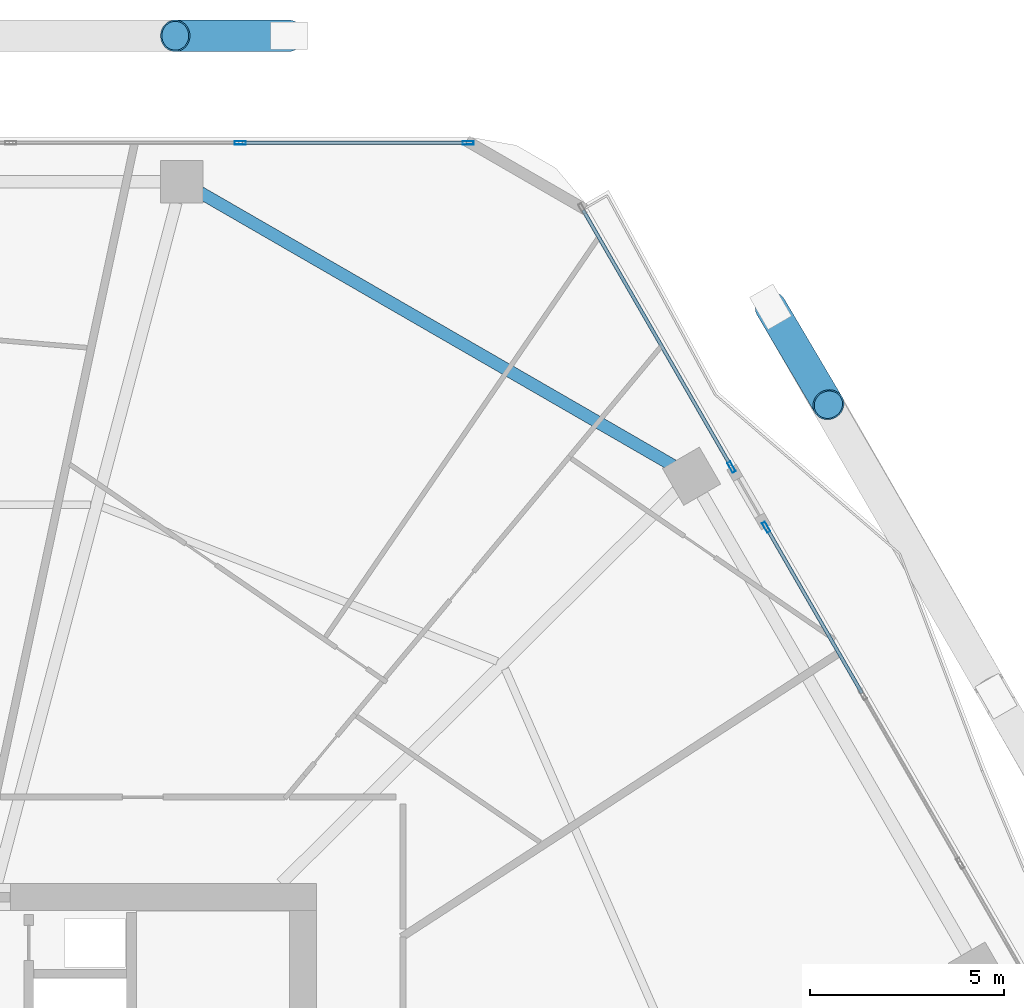
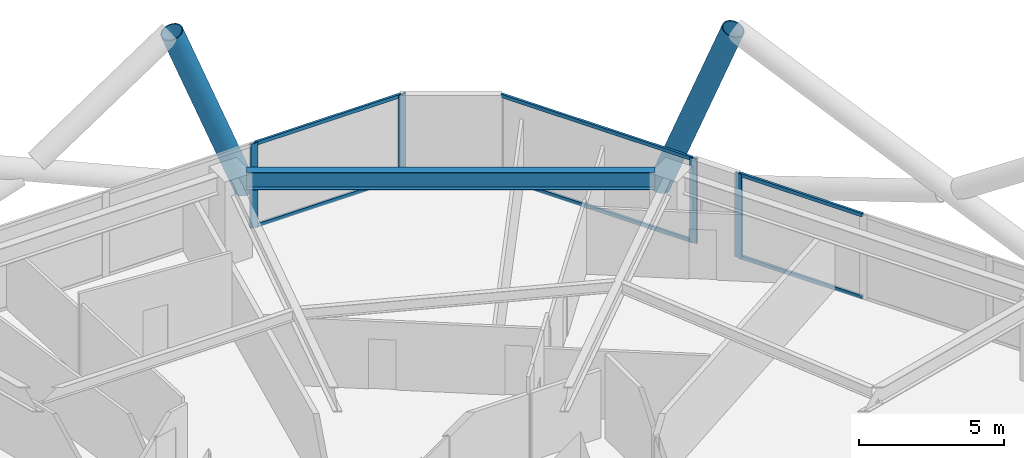
# One storey, part 23 of 35: 12 members, 1 beam, 3 elements without a shape of their own.
"""IFC4 building model written with IfcOpenShell, lengths in metres."""

from ifc_helpers import new_model, si_unit, direction, frame, origin, origin_2d, place, context, subcontext, project, spatial, hollow_rectangle, hollow_circle, i_section, extrude, material, material_profile, profile_set, type_object, element, aggregate, save


model = new_model("IFC4")

# Units and contexts
model_context = context("Model", 3, precision=1e-05, world=origin(), true_north=direction((0.0, 1.0)))
body_context = subcontext(model_context, "Body", "Model", "MODEL_VIEW")
ifc_project = project(units=[si_unit("LENGTHUNIT", "METRE"), si_unit("AREAUNIT", "SQUARE_METRE"), si_unit("VOLUMEUNIT", "CUBIC_METRE"), si_unit("PLANEANGLEUNIT", "RADIAN"), si_unit("MASSUNIT", "GRAM", prefix="KILO")], contexts=[model_context])

# Site, building, storey
site_placement = place(None, origin())
site = spatial("IfcSite", under=ifc_project, at=site_placement, CompositionType="ELEMENT")
building_placement = place(site_placement, origin())
building = spatial("IfcBuilding", under=site, at=building_placement, Name="Zuhravey Tower", CompositionType="ELEMENT")
storey_placement = place(building_placement, frame((0.0, 0.0, 122.800048828125)))
storey = spatial("IfcBuildingStorey", under=building, at=storey_placement, Name="L30", CompositionType="ELEMENT", Elevation=122.800048828125)

# Curtain wall, members
ifc_material_1 = material(Name="Thermally broken anodised aluminium", Category="aluminium")
curtain_wall_type = type_object("IfcCurtainWallType", Name="Zone 1-2 Residential Curtain Wall CW3", PredefinedType="NOTDEFINED", material=ifc_material_1)
curtain_wall_1_placement = place(storey_placement, origin())
curtain_wall_1 = element("IfcCurtainWall", 1, at=curtain_wall_1_placement, inside=storey, type_object=curtain_wall_type, Name="L30 CW3 CW-L30-F2-1", PredefinedType="NOTDEFINED")
ifc_material_2 = material(Name="Anodised aluminium", Category="aluminium")
ifc_material_profile_1 = material_profile(ifc_material_2, hollow_rectangle(XDim=0.090087890625, YDim=0.284912109375, WallThickness=0.0048828125, at=origin_2d()), Name="ALU-RHS-90x285x5")
ifc_profile_set_1 = profile_set([ifc_material_profile_1], Name="Anodised aluminium")
member_type_1 = type_object("IfcMemberType", Name="Curtain-Wall Mullion 90x180", PredefinedType="MULLION", material=ifc_profile_set_1)
member_1_placement = place(storey_placement, frame((44.879638671875, 60.95849609375, 0.0), z_axis=(0.0, 0.0, 1.0), x_axis=(0.0, 1.0, 0.0)))
member_1 = element("IfcMember", 2, at=member_1_placement, type_object=member_type_1, Name="CW3 mullion 5", PredefinedType="MULLION", context=body_context, shape_type="SweptSolid", body=[
    extrude(hollow_rectangle(XDim=0.090087890625, YDim=0.284912109375, WallThickness=0.0048828125, at=origin_2d()), origin(), (0.0, 0.0, 1.0), 3.550048828125),
])
member_2_placement = place(storey_placement, frame((50.75439453125, 60.95849609375, 0.0), z_axis=(0.0, 0.0, 1.0), x_axis=(0.0, 1.0, 0.0)))
member_2 = element("IfcMember", 3, at=member_2_placement, type_object=member_type_1, Name="CW3 mullion 6", PredefinedType="MULLION", context=body_context, shape_type="SweptSolid", body=[
    extrude(hollow_rectangle(XDim=0.090087890625, YDim=0.284912109375, WallThickness=0.0048828125, at=origin_2d()), origin(), (0.0, 0.0, 1.0), 3.550048828125),
])

# Curtain wall, member
curtain_wall_2_placement = place(storey_placement, origin())
curtain_wall_2 = element("IfcCurtainWall", 4, at=curtain_wall_2_placement, inside=storey, type_object=curtain_wall_type, Name="L30 CW3 CW-L30-F1-1", PredefinedType="NOTDEFINED")
member_3_placement = place(storey_placement, frame((57.54931640625, 52.59228515625, 0.0), z_axis=(0.0, 0.0, 1.0), x_axis=(0.866025384883, 0.500000032739, 0.0)))
member_3 = element("IfcMember", 5, at=member_3_placement, type_object=member_type_1, Name="CW3 mullion 2", PredefinedType="MULLION", context=body_context, shape_type="SweptSolid", body=[
    extrude(hollow_rectangle(XDim=0.090087890625, YDim=0.284912109375, WallThickness=0.0048828125, at=origin_2d()), origin(), (0.0, 0.0, 1.0), 3.550048828125),
])

curtain_wall_3_placement = place(storey_placement, origin())
curtain_wall_3 = element("IfcCurtainWall", 6, at=curtain_wall_3_placement, inside=storey, type_object=curtain_wall_type, Name="L30 CW3 CW-L30-F1-2", PredefinedType="NOTDEFINED")
member_4_placement = place(storey_placement, frame((58.4443359375, 51.042236328125, 0.0), z_axis=(0.0, 0.0, 1.0), x_axis=(0.866026122816, 0.499998754599, 0.0)))
member_4 = element("IfcMember", 7, at=member_4_placement, type_object=member_type_1, Name="CW3 mullion 1", PredefinedType="MULLION", context=body_context, shape_type="SweptSolid", body=[
    extrude(hollow_rectangle(XDim=0.090087890625, YDim=0.284912109375, WallThickness=0.0048828125, at=origin_2d()), origin(), (0.0, 0.0, 1.0), 3.550048828125),
])

# Member
ifc_material_profile_2 = material_profile(ifc_material_2, hollow_rectangle(XDim=0.090087890625, YDim=0.14990234375, WallThickness=0.0048828125, at=origin_2d()), Name="ALU-RHS-90x150x5")
ifc_profile_set_2 = profile_set([ifc_material_profile_2], Name="Anodised aluminium")
member_type_2 = type_object("IfcMemberType", Name="Curtain-Wall Transom 90x150", PredefinedType="USERDEFINED", material=ifc_profile_set_2)
member_5_placement = place(storey_placement, frame((44.9248046875, 60.95849609375, 0.044921875), z_axis=(1.0, 0.0, 0.0), x_axis=(0.0, 1.0, 0.0)))
member_5 = element("IfcMember", 8, at=member_5_placement, type_object=member_type_2, Name="CW3 transom 5.1", ObjectType="TRANSOM", PredefinedType="USERDEFINED", context=body_context, shape_type="SweptSolid", body=[
    extrude(hollow_rectangle(XDim=0.090087890625, YDim=0.14990234375, WallThickness=0.0048828125, at=origin_2d()), origin(), (0.0, 0.0, 1.0), 5.78466796875),
])

member_6_placement = place(storey_placement, frame((44.9248046875, 60.95849609375, 3.5048828125), z_axis=(1.0, 0.0, 0.0), x_axis=(0.0, 1.0, 0.0)))
member_6 = element("IfcMember", 9, at=member_6_placement, type_object=member_type_2, Name="CW3 transom 5.2", ObjectType="TRANSOM", PredefinedType="USERDEFINED", context=body_context, shape_type="SweptSolid", body=[
    extrude(hollow_rectangle(XDim=0.090087890625, YDim=0.14990234375, WallThickness=0.0048828125, at=origin_2d()), origin(), (0.0, 0.0, 1.0), 5.78466796875),
])

aggregate(curtain_wall_1, [member_1, member_2, member_5, member_6])

member_7_placement = place(storey_placement, frame((53.72412109375, 59.218017578125, 0.044921875), z_axis=(0.499991985073, -0.866030031155, 0.0), x_axis=(0.866030031155, 0.499991985073, 0.0)))
member_7 = element("IfcMember", 10, at=member_7_placement, type_object=member_type_2, Name="CW3 transom 1.1", ObjectType="TRANSOM", PredefinedType="USERDEFINED", context=body_context, shape_type="SweptSolid", body=[
    extrude(hollow_rectangle(XDim=0.090087890625, YDim=0.14990234375, WallThickness=0.0048828125, at=origin_2d()), origin(), (0.0, 0.0, 1.0), 7.60546875),
])

member_8_placement = place(storey_placement, frame((53.72412109375, 59.218017578125, 3.5048828125), z_axis=(0.499991985073, -0.866030031155, 0.0), x_axis=(0.866030031155, 0.499991985073, 0.0)))
member_8 = element("IfcMember", 11, at=member_8_placement, type_object=member_type_2, Name="CW3 transom 1.2", ObjectType="TRANSOM", PredefinedType="USERDEFINED", context=body_context, shape_type="SweptSolid", body=[
    extrude(hollow_rectangle(XDim=0.090087890625, YDim=0.14990234375, WallThickness=0.0048828125, at=origin_2d()), origin(), (0.0, 0.0, 1.0), 7.60546875),
])

aggregate(curtain_wall_2, [member_3, member_7, member_8])

member_9_placement = place(storey_placement, frame((58.466796875, 51.003173828125, 0.044921875), z_axis=(0.500013247177, -0.866017755388, 0.0), x_axis=(0.866017755388, 0.500013247177, 0.0)))
member_9 = element("IfcMember", 12, at=member_9_placement, type_object=member_type_2, Name="CW3 transom 1.1", ObjectType="TRANSOM", PredefinedType="USERDEFINED", context=body_context, shape_type="SweptSolid", body=[
    extrude(hollow_rectangle(XDim=0.090087890625, YDim=0.14990234375, WallThickness=0.0048828125, at=origin_2d()), origin(), (0.0, 0.0, 1.0), 4.893310546875),
])

member_10_placement = place(storey_placement, frame((58.466796875, 51.003173828125, 3.5048828125), z_axis=(0.500013247177, -0.866017755388, 0.0), x_axis=(0.866017755388, 0.500013247177, 0.0)))
member_10 = element("IfcMember", 13, at=member_10_placement, type_object=member_type_2, Name="CW3 transom 1.2", ObjectType="TRANSOM", PredefinedType="USERDEFINED", context=body_context, shape_type="SweptSolid", body=[
    extrude(hollow_rectangle(XDim=0.090087890625, YDim=0.14990234375, WallThickness=0.0048828125, at=origin_2d()), origin(), (0.0, 0.0, 1.0), 4.893310546875),
])

aggregate(curtain_wall_3, [member_4, member_9, member_10])

# Members
ifc_material_3 = material(Name="Steel SM460", Category="steel")
ifc_material_profile_3 = material_profile(ifc_material_3, hollow_circle(Radius=0.406494140625, WallThickness=0.035888671875, at=origin_2d()), Name="CHS-812.8x36")
ifc_profile_set_3 = profile_set([ifc_material_profile_3], Name="Steel SM460")
member_type_3 = type_object("IfcMemberType", Name="Exoskeleton Zone 1 Diagrid CHS813x36", PredefinedType="BRACE", material=ifc_profile_set_3)
member_11_placement = place(storey_placement, frame((58.560791015625, 56.720703125, -0.442138671875), z_axis=(0.183732280177, -0.310880561966, 0.932521166201), x_axis=(0.860889982927, 0.508791152926, 0.0)))
element("IfcMember", 14, at=member_11_placement, inside=storey, type_object=member_type_3, Name="L30 Face 1 Diagrid Brace 4", PredefinedType="BRACE", context=body_context, shape_type="SweptSolid", body=[
    extrude(hollow_circle(Radius=0.406494140625, WallThickness=0.035888671875, at=origin_2d()), origin(), (0.0, 0.0, 1.0), 8.10302734375),
])
member_12_placement = place(storey_placement, frame((46.128173828125, 63.718505859375, -0.442138671875), z_axis=(-0.361082010656, 0.0, 0.932534064569), x_axis=(0.0, -1.0, 0.0)))
element("IfcMember", 15, at=member_12_placement, inside=storey, type_object=member_type_3, Name="L30 Face 2 Diagrid Brace 1", PredefinedType="BRACE", context=body_context, shape_type="SweptSolid", body=[
    extrude(hollow_circle(Radius=0.406494140625, WallThickness=0.035888671875, at=origin_2d()), origin(), (0.0, 0.0, 1.0), 8.102783203125),
])

# Beam
ifc_material_4 = material(Name="Steel SM355", Category="steel")
ifc_material_profile_4 = material_profile(ifc_material_4, i_section(OverallWidth=0.320068359375, OverallDepth=0.75, WebThickness=0.013916015625, FlangeThickness=0.02490234375, at=origin_2d()), Name="H-750x320x14x25")
ifc_profile_set_4 = profile_set([ifc_material_profile_4], Name="Steel SM355")
beam_type = type_object("IfcBeamType", Name="Perimeter Ring Beam H750x320", PredefinedType="BEAM", material=ifc_profile_set_4)
beam_placement = place(storey_placement, frame((56.0400390625, 52.63330078125, 3.175048828125), z_axis=(-0.866017786538, 0.500013193225, 0.0), x_axis=(-0.500013193225, -0.866017786538, 0.0)))
element("IfcBeam", 16, at=beam_placement, inside=storey, type_object=beam_type, Name="L30 PB1 BM-L30-PB-02", PredefinedType="BEAM", context=body_context, shape_type="SweptSolid", body=[
    extrude(i_section(OverallWidth=0.320068359375, OverallDepth=0.75, WebThickness=0.013916015625, FlangeThickness=0.02490234375, at=origin_2d()), origin(), (0.0, 0.0, 1.0), 14.0771484375),
])

save(model, "model.ifc")
